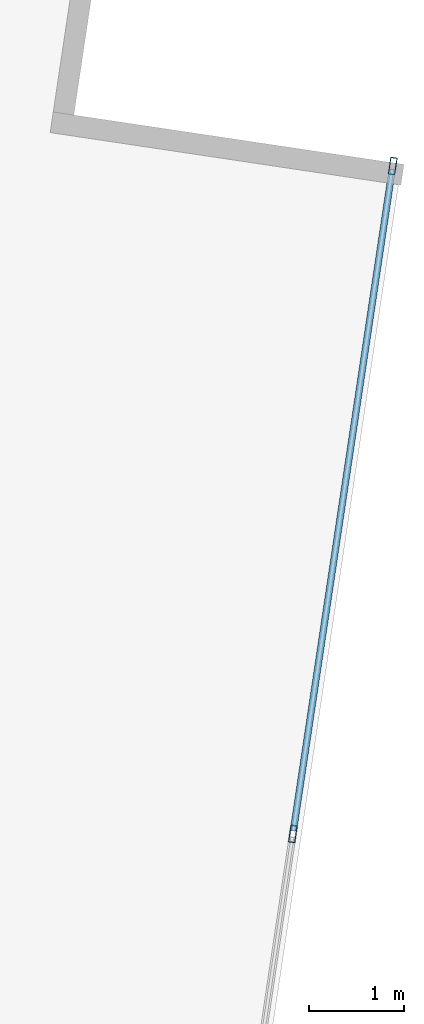
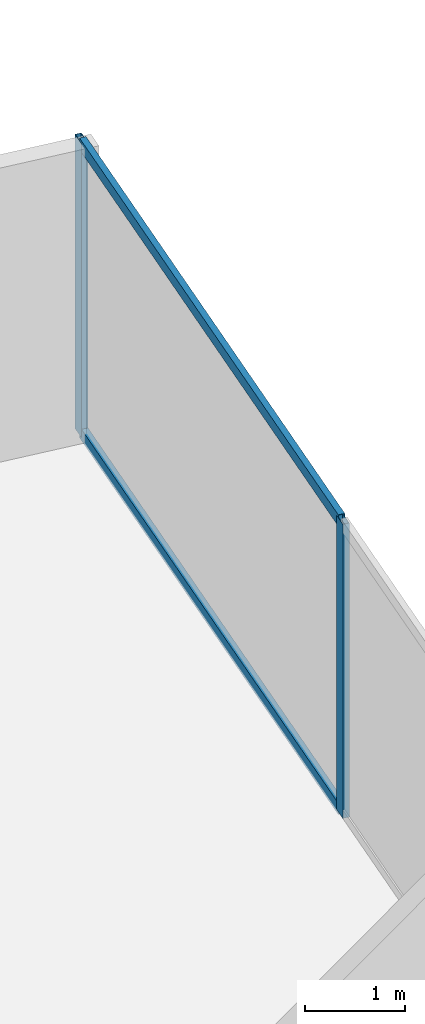
# One storey, part 21 of 29: 4 members, 1 element without a shape of its own.
"""IFC4 building model written with IfcOpenShell, lengths in metres."""

from ifc_helpers import new_model, si_unit, direction, frame, origin, origin_2d, place, context, subcontext, project, spatial, hollow_rectangle, extrude, source, transform, mapped, material, material_profile, profile_set, type_object, type_shapes, element, aggregate, save


model = new_model("IFC4")

# Units and contexts
model_context = context("Model", 3, precision=1e-05, world=origin(), true_north=direction((0.0, 1.0)))
body_context = subcontext(model_context, "Body", "Model", "MODEL_VIEW")
ifc_project = project(units=[si_unit("LENGTHUNIT", "METRE"), si_unit("AREAUNIT", "SQUARE_METRE"), si_unit("VOLUMEUNIT", "CUBIC_METRE"), si_unit("PLANEANGLEUNIT", "RADIAN"), si_unit("MASSUNIT", "GRAM", prefix="KILO")], contexts=[model_context])

# Site, building, storey
site_placement = place(None, origin())
site = spatial("IfcSite", under=ifc_project, at=site_placement, CompositionType="ELEMENT")
building_placement = place(site_placement, origin())
building = spatial("IfcBuilding", under=site, at=building_placement, Name="Krantzveldt Concourse Tower", CompositionType="ELEMENT")
storey_placement = place(building_placement, frame((0.0, 0.0, 76.35009765625)))
storey = spatial("IfcBuildingStorey", under=building, at=storey_placement, Name="L18", CompositionType="ELEMENT", Elevation=76.35009765625)

# Curtain wall, members
ifc_material = material(Name="Anodised aluminium 6063-T6", Category="aluminium")
curtain_wall_type = type_object("IfcCurtainWallType", Name="CW2", PredefinedType="USERDEFINED", material=ifc_material)
curtain_wall_placement = place(storey_placement, origin())
curtain_wall = element("IfcCurtainWall", 1, at=curtain_wall_placement, inside=storey, type_object=curtain_wall_type, Name="CW-L18-F07", ObjectType="UNITISED CURTAIN WALL", PredefinedType="USERDEFINED")
ifc_material_profile_1 = material_profile(ifc_material, hollow_rectangle(XDim=0.070068359375, YDim=0.139892578125, WallThickness=0.0048828125, at=origin_2d()), Name="Anodised aluminium 6063-T6", Category="aluminium")
ifc_profile_set_1 = profile_set([ifc_material_profile_1], Name="Anodised aluminium 6063-T6 - ALU-TRAN 140x70x5")
member_type_1 = type_object("IfcMemberType", Name="CW-TRN-150", PredefinedType="USERDEFINED", material=ifc_profile_set_1)
shared_shape_1 = source(origin(), body_context, "Body", "SweptSolid", [
    extrude(hollow_rectangle(XDim=0.070068359375, YDim=0.139892578125, WallThickness=0.0048828125, at=origin_2d()), origin(), (0.0, 0.0, 1.0), 7.061767578125),
])
type_shapes(member_type_1, [shared_shape_1])
member_1_placement = place(storey_placement, frame((62.76025390625, 37.228515625, 0.034912109375), z_axis=(0.147797751082, 0.989017605897, 0.0), x_axis=(-0.989017605897, 0.147797751082, 0.0)))
member_1 = element("IfcMember", 2, at=member_1_placement, type_object=member_type_1, Name="CW-Z12 transom 6.1", ObjectType="TRANSOM", PredefinedType="USERDEFINED", context=body_context, shape_type="MappedRepresentation", body=[
    mapped(shared_shape_1, transform((0.0, 0.0, 0.0), x_axis=(1.0, 0.0, 0.0), y_axis=(0.0, 1.0, 0.0), z_axis=(0.0, 0.0, 1.0), scale=1.0)),
])
member_2_placement = place(storey_placement, frame((62.76025390625, 37.228515625, 3.554931640625), z_axis=(0.147797751082, 0.989017605897, 0.0), x_axis=(-0.989017605897, 0.147797751082, 0.0)))
member_2 = element("IfcMember", 3, at=member_2_placement, type_object=member_type_1, Name="CW-Z12 transom 6.2", ObjectType="TRANSOM", PredefinedType="USERDEFINED", context=body_context, shape_type="MappedRepresentation", body=[
    mapped(shared_shape_1, transform((0.0, 0.0, 0.0), x_axis=(1.0, 0.0, 0.0), y_axis=(0.0, 1.0, 0.0), z_axis=(0.0, 0.0, 1.0), scale=1.0)),
])
ifc_material_profile_2 = material_profile(ifc_material, hollow_rectangle(XDim=0.070068359375, YDim=0.179931640625, WallThickness=0.0048828125, at=origin_2d()), Name="Anodised aluminium 6063-T6", Category="aluminium")
ifc_profile_set_2 = profile_set([ifc_material_profile_2], Name="Anodised aluminium 6063-T6 - ALU-MULL 180x70x5")
member_type_2 = type_object("IfcMemberType", Name="CW-MUL-180", PredefinedType="MULLION", material=ifc_profile_set_2)
shared_shape_2 = source(origin(), body_context, "Body", "SweptSolid", [
    extrude(hollow_rectangle(XDim=0.070068359375, YDim=0.179931640625, WallThickness=0.0048828125, at=origin_2d()), origin(), (0.0, 0.0, 1.0), 3.58984375),
])
type_shapes(member_type_2, [shared_shape_2])
member_3_placement = place(storey_placement, frame((62.7548828125, 37.19384765625, 0.0), z_axis=(0.0, 0.0, 1.0), x_axis=(-0.989015849271, 0.147809505412, 0.0)))
member_3 = element("IfcMember", 4, at=member_3_placement, type_object=member_type_2, Name="CW-Z12 mullion 6", PredefinedType="MULLION", context=body_context, shape_type="MappedRepresentation", body=[
    mapped(shared_shape_2, transform((0.0, 0.0, 0.0), x_axis=(1.0, 0.0, 0.0), y_axis=(0.0, 1.0, 0.0), z_axis=(0.0, 0.0, 1.0), scale=1.0)),
])
member_4_placement = place(storey_placement, frame((63.80908203125, 44.247314453125, 0.0), z_axis=(0.0, 0.0, 1.0), x_axis=(-0.989015849271, 0.147809505412, 0.0)))
member_4 = element("IfcMember", 5, at=member_4_placement, type_object=member_type_2, Name="CW-Z12 mullion 7", PredefinedType="MULLION", context=body_context, shape_type="MappedRepresentation", body=[
    mapped(shared_shape_2, transform((0.0, 0.0, 0.0), x_axis=(1.0, 0.0, 0.0), y_axis=(0.0, 1.0, 0.0), z_axis=(0.0, 0.0, 1.0), scale=1.0)),
])
aggregate(curtain_wall, [member_3, member_4, member_1, member_2])

save(model, "model.ifc")
